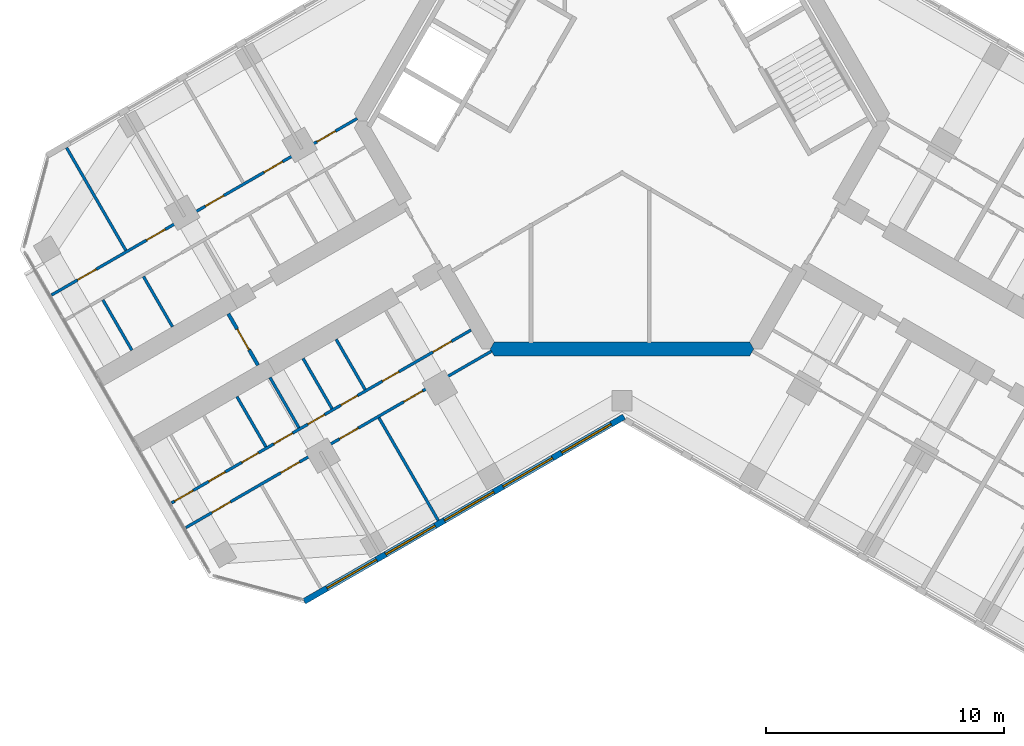
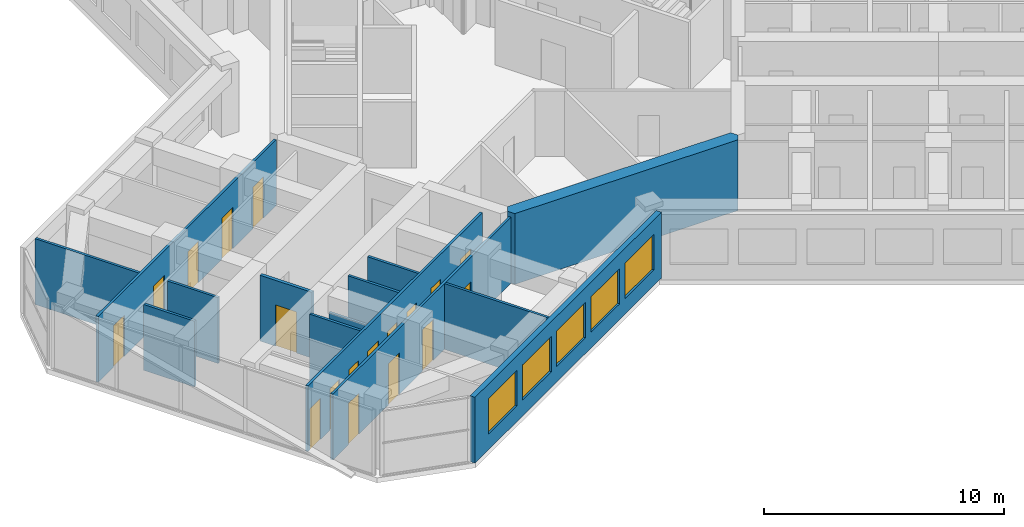
# One storey, part 8 of 16: 18 doors, 14 walls, 5 windows, 23 openings.
"""IFC4 building model written with IfcOpenShell, lengths in metres."""

from ifc_helpers import new_model, si_unit, direction, frame, frame_2d, origin, place, context, subcontext, project, spatial, polyline, rectangle, outline, extrude, material, layer, layer_set, type_object, element, fill, save


model = new_model("IFC4")

# Units and contexts
model_context = context("Model", 3, precision=1e-05, world=origin(), true_north=direction((0.0, 1.0)))
body_context = subcontext(model_context, "Body", "Model", "MODEL_VIEW")
ifc_project = project(units=[si_unit("LENGTHUNIT", "METRE"), si_unit("AREAUNIT", "SQUARE_METRE"), si_unit("VOLUMEUNIT", "CUBIC_METRE"), si_unit("PLANEANGLEUNIT", "RADIAN"), si_unit("MASSUNIT", "GRAM", prefix="KILO")], contexts=[model_context])

# Site, building, storey
site_placement = place(None, origin())
site = spatial("IfcSite", under=ifc_project, at=site_placement, CompositionType="ELEMENT")
building_placement = place(site_placement, origin())
building = spatial("IfcBuilding", under=site, at=building_placement, Name="Kosmar Iwan School Tower", CompositionType="ELEMENT")
storey_placement = place(building_placement, frame((0.0, 0.0, 249.60009765625)))
storey = spatial("IfcBuildingStorey", under=building, at=storey_placement, Name="L63", CompositionType="ELEMENT", Elevation=249.60009765625)

# Wall
ifc_material_1 = material(Name="Concrete C50/60", Category="concrete")
ifc_layer_1 = layer(ifc_material_1, 0.60009765625)
ifc_layer_set_1 = layer_set([ifc_layer_1], Name="Core wall 600")
wall_type_1 = type_object("IfcWallType", Name="Core wall 600", PredefinedType="SHEAR", material=ifc_layer_set_1)
wall_1_placement = place(storey_placement, origin())
element("IfcWall", 1, at=wall_1_placement, inside=storey, type_object=wall_type_1, Name="Core wall F270", PredefinedType="SHEAR", context=body_context, shape_type="SweptSolid", body=[
    extrude(outline(polyline([(-5.369384765625, -9.89990234375), (5.369384765625, -9.89990234375), (5.54248046875, -9.60009765625), (5.369384765625, -9.300048828125), (-5.369384765625, -9.300048828125), (-5.54248046875, -9.60009765625), (-5.369384765625, -9.89990234375)])), origin(), (0.0, 0.0, 1.0), 3.599853515625),
])

# Wall, opening, door
ifc_material_2 = material(Name="Gypsum board on steel studs, fire-rated", Category="steel")
ifc_layer_2 = layer(ifc_material_2, 0.14990234375)
ifc_layer_set_2 = layer_set([ifc_layer_2], Name="Corridor end wall 150")
wall_type_2 = type_object("IfcWallType", Name="Corridor end wall 150", PredefinedType="PARTITIONING", material=ifc_layer_set_2)
wall_2_placement = place(storey_placement, frame((-16.559814453125, -8.117431640625, 0.0), z_axis=(0.0, 0.0, 1.0), x_axis=(0.500004234368, -0.866022959057, 0.0)))
wall_2 = element("IfcWall", 2, at=wall_2_placement, inside=storey, type_object=wall_type_2, Name="Partition L63-B-CE", PredefinedType="PARTITIONING", context=body_context, shape_type="SweptSolid", body=[
    extrude(rectangle(XDim=2.5, YDim=0.14990234375, at=frame_2d((1.25, 0.0))), origin(), (0.0, 0.0, 1.0), 3.349853515625),
])
opening_1_placement = place(wall_2_placement, frame((0.75, 0.0, 0.0)))
opening_1 = element("IfcOpeningElement", 3, at=opening_1_placement, cuts=wall_2, Name="Opening D13", PredefinedType="OPENING", context=body_context, shape_type="SweptSolid", body=[
    extrude(rectangle(XDim=1.0, YDim=2.10009765625, at=frame_2d((0.5, 1.050048828125))), frame((0.0, 0.0869140625, 0.0), z_axis=(0.0, -1.0, 0.0), x_axis=(1.0, 0.0, 0.0)), (0.0, 0.0, 1.0), 0.173828125),
])
ifc_material_3 = material(Name="Timber fire door with vision panel", Category="wood")
door_type_1 = type_object("IfcDoorType", Name="Corridor end door 1000x2100", OperationType="SINGLE_SWING_LEFT", PredefinedType="DOOR", material=ifc_material_3)
door_1_placement = place(opening_1_placement, origin())
door_1 = element("IfcDoor", 4, at=door_1_placement, inside=storey, type_object=door_type_1, Name="Hobby workshop door L63-B", OperationType="SINGLE_SWING_LEFT", OverallHeight=2.10009765625, OverallWidth=1.0, PredefinedType="DOOR", context=body_context, shape_type="SweptSolid", body=[
    extrude(rectangle(XDim=1.0, YDim=2.10009765625, at=frame_2d((0.5, 1.050048828125))), frame((0.0, 0.02490234375, 0.0), z_axis=(0.0, -1.0, 0.0), x_axis=(1.0, 0.0, 0.0)), (0.0, 0.0, 1.0), 0.050048828125),
])
fill(opening_1, door_1)

# Wall, openings, doors
ifc_material_4 = material(Name="Gypsum board on steel studs", Category="steel")
ifc_layer_3 = layer(ifc_material_4, 0.1201171875)
ifc_layer_set_3 = layer_set([ifc_layer_3], Name="Dwelling partition 120")
wall_type_3 = type_object("IfcWallType", Name="Dwelling partition 120", PredefinedType="PARTITIONING", material=ifc_layer_set_3)
wall_3_placement = place(storey_placement, frame((-6.3486328125, -8.8037109375, 0.0), z_axis=(0.0, 0.0, 1.0), x_axis=(-0.866020949409, -0.500007715126, 0.0)))
wall_3 = element("IfcWall", 5, at=wall_3_placement, inside=storey, type_object=wall_type_3, Name="Partition L63-BL1-W1", PredefinedType="PARTITIONING", context=body_context, shape_type="SweptSolid", body=[
    extrude(rectangle(XDim=14.545166015625, YDim=0.1201171875, at=frame_2d((7.2724609375, 0.0))), origin(), (0.0, 0.0, 1.0), 3.349853515625),
])
opening_2_placement = place(wall_3_placement, frame((0.949951171875, 0.0, 0.0)))
opening_2 = element("IfcOpeningElement", 6, at=opening_2_placement, cuts=wall_3, Name="Opening D2", PredefinedType="OPENING", context=body_context, shape_type="SweptSolid", body=[
    extrude(rectangle(XDim=0.89990234375, YDim=2.10009765625, at=frame_2d((0.449951171875, 1.050048828125))), frame((0.0, 0.072021484375, 0.0), z_axis=(0.0, -1.0, 0.0), x_axis=(1.0, 0.0, 0.0)), (0.0, 0.0, 1.0), 0.14404296875),
])
opening_3_placement = place(wall_3_placement, frame((3.505126953125, 0.0, 0.0)))
opening_3 = element("IfcOpeningElement", 7, at=opening_3_placement, cuts=wall_3, Name="Opening D3", PredefinedType="OPENING", context=body_context, shape_type="SweptSolid", body=[
    extrude(rectangle(XDim=0.800048828125, YDim=2.10009765625, at=frame_2d((0.39990234375, 1.050048828125))), frame((0.0, 0.072021484375, 0.0), z_axis=(0.0, -1.0, 0.0), x_axis=(1.0, 0.0, 0.0)), (0.0, 0.0, 1.0), 0.14404296875),
])
opening_4_placement = place(wall_3_placement, frame((5.513427734375, 0.0, 0.0)))
opening_4 = element("IfcOpeningElement", 8, at=opening_4_placement, cuts=wall_3, Name="Opening D3", PredefinedType="OPENING", context=body_context, shape_type="SweptSolid", body=[
    extrude(rectangle(XDim=0.800048828125, YDim=2.10009765625, at=frame_2d((0.39990234375, 1.050048828125))), frame((0.0, 0.072021484375, 0.0), z_axis=(0.0, -1.0, 0.0), x_axis=(1.0, 0.0, 0.0)), (0.0, 0.0, 1.0), 0.14404296875),
])
opening_5_placement = place(wall_3_placement, frame((7.1201171875, 0.0, 0.0)))
opening_5 = element("IfcOpeningElement", 9, at=opening_5_placement, cuts=wall_3, Name="Opening D3", PredefinedType="OPENING", context=body_context, shape_type="SweptSolid", body=[
    extrude(rectangle(XDim=0.800048828125, YDim=2.10009765625, at=frame_2d((0.39990234375, 1.050048828125))), frame((0.0, 0.072021484375, 0.0), z_axis=(0.0, -1.0, 0.0), x_axis=(1.0, 0.0, 0.0)), (0.0, 0.0, 1.0), 0.14404296875),
])
opening_6_placement = place(wall_3_placement, frame((8.6767578125, 0.0, 0.0)))
opening_6 = element("IfcOpeningElement", 10, at=opening_6_placement, cuts=wall_3, Name="Opening D2", PredefinedType="OPENING", context=body_context, shape_type="SweptSolid", body=[
    extrude(rectangle(XDim=0.89990234375, YDim=2.10009765625, at=frame_2d((0.449951171875, 1.050048828125))), frame((0.0, 0.072021484375, 0.0), z_axis=(0.0, -1.0, 0.0), x_axis=(1.0, 0.0, 0.0)), (0.0, 0.0, 1.0), 0.14404296875),
])
opening_7_placement = place(wall_3_placement, frame((10.333251953125, 0.0, 0.0)))
opening_7 = element("IfcOpeningElement", 11, at=opening_7_placement, cuts=wall_3, Name="Opening D3", PredefinedType="OPENING", context=body_context, shape_type="SweptSolid", body=[
    extrude(rectangle(XDim=0.800048828125, YDim=2.10009765625, at=frame_2d((0.39990234375, 1.050048828125))), frame((0.0, 0.072021484375, 0.0), z_axis=(0.0, -1.0, 0.0), x_axis=(1.0, 0.0, 0.0)), (0.0, 0.0, 1.0), 0.14404296875),
])
opening_8_placement = place(wall_3_placement, frame((11.93994140625, 0.0, 0.0)))
opening_8 = element("IfcOpeningElement", 12, at=opening_8_placement, cuts=wall_3, Name="Opening D3", PredefinedType="OPENING", context=body_context, shape_type="SweptSolid", body=[
    extrude(rectangle(XDim=0.800048828125, YDim=2.10009765625, at=frame_2d((0.39990234375, 1.050048828125))), frame((0.0, 0.072021484375, 0.0), z_axis=(0.0, -1.0, 0.0), x_axis=(1.0, 0.0, 0.0)), (0.0, 0.0, 1.0), 0.14404296875),
])
opening_9_placement = place(wall_3_placement, frame((13.49658203125, 0.0, 0.0)))
opening_9 = element("IfcOpeningElement", 13, at=opening_9_placement, cuts=wall_3, Name="Opening D2", PredefinedType="OPENING", context=body_context, shape_type="SweptSolid", body=[
    extrude(rectangle(XDim=0.89990234375, YDim=2.10009765625, at=frame_2d((0.449951171875, 1.050048828125))), frame((0.0, 0.072021484375, 0.0), z_axis=(0.0, -1.0, 0.0), x_axis=(1.0, 0.0, 0.0)), (0.0, 0.0, 1.0), 0.14404296875),
])
ifc_material_5 = material(Name="Timber door in timber frame", Category="wood")
door_type_2 = type_object("IfcDoorType", Name="Internal door 900x2100", OperationType="SINGLE_SWING_LEFT", PredefinedType="DOOR", material=ifc_material_5)
door_2_placement = place(opening_2_placement, origin())
door_2 = element("IfcDoor", 14, at=door_2_placement, inside=storey, type_object=door_type_2, Name="Entrance hall door L63-BL1-S1", OperationType="SINGLE_SWING_LEFT", OverallHeight=2.10009765625, OverallWidth=0.89990234375, PredefinedType="DOOR", context=body_context, shape_type="SweptSolid", body=[
    extrude(rectangle(XDim=0.89990234375, YDim=2.10009765625, at=frame_2d((0.449951171875, 1.050048828125))), frame((0.0, 0.02490234375, 0.0), z_axis=(0.0, -1.0, 0.0), x_axis=(1.0, 0.0, 0.0)), (0.0, 0.0, 1.0), 0.050048828125),
])
fill(opening_2, door_2)
door_3_placement = place(opening_6_placement, origin())
door_3 = element("IfcDoor", 15, at=door_3_placement, inside=storey, type_object=door_type_2, Name="Pantry door L63-BL1-S5", OperationType="SINGLE_SWING_RIGHT", OverallHeight=2.10009765625, OverallWidth=0.89990234375, PredefinedType="DOOR", context=body_context, shape_type="SweptSolid", body=[
    extrude(rectangle(XDim=0.89990234375, YDim=2.10009765625, at=frame_2d((0.449951171875, 1.050048828125))), frame((0.0, 0.02490234375, 0.0), z_axis=(0.0, -1.0, 0.0), x_axis=(1.0, 0.0, 0.0)), (0.0, 0.0, 1.0), 0.050048828125),
])
fill(opening_6, door_3)
door_4_placement = place(opening_9_placement, origin())
door_4 = element("IfcDoor", 16, at=door_4_placement, inside=storey, type_object=door_type_2, Name="Utility room door L63-BL1-S8", OperationType="SINGLE_SWING_RIGHT", OverallHeight=2.10009765625, OverallWidth=0.89990234375, PredefinedType="DOOR", context=body_context, shape_type="SweptSolid", body=[
    extrude(rectangle(XDim=0.89990234375, YDim=2.10009765625, at=frame_2d((0.449951171875, 1.050048828125))), frame((0.0, 0.02490234375, 0.0), z_axis=(0.0, -1.0, 0.0), x_axis=(1.0, 0.0, 0.0)), (0.0, 0.0, 1.0), 0.050048828125),
])
fill(opening_9, door_4)
ifc_material_6 = material(Name="Timber door in timber frame", Category="wood")
door_type_3 = type_object("IfcDoorType", Name="Sanitary room door 800x2100", OperationType="SINGLE_SWING_LEFT", PredefinedType="DOOR", material=ifc_material_6)
door_5_placement = place(opening_3_placement, origin())
door_5 = element("IfcDoor", 17, at=door_5_placement, inside=storey, type_object=door_type_3, Name="Bathroom door L63-BL1-S2", OperationType="SINGLE_SWING_LEFT", OverallHeight=2.10009765625, OverallWidth=0.800048828125, PredefinedType="DOOR", context=body_context, shape_type="SweptSolid", body=[
    extrude(rectangle(XDim=0.800048828125, YDim=2.10009765625, at=frame_2d((0.39990234375, 1.050048828125))), frame((0.0, 0.02490234375, 0.0), z_axis=(0.0, -1.0, 0.0), x_axis=(1.0, 0.0, 0.0)), (0.0, 0.0, 1.0), 0.050048828125),
])
fill(opening_3, door_5)
door_6_placement = place(opening_4_placement, origin())
door_6 = element("IfcDoor", 18, at=door_6_placement, inside=storey, type_object=door_type_3, Name="Grandparents' shower room door L63-BL1-S3", OperationType="SINGLE_SWING_LEFT", OverallHeight=2.10009765625, OverallWidth=0.800048828125, PredefinedType="DOOR", context=body_context, shape_type="SweptSolid", body=[
    extrude(rectangle(XDim=0.800048828125, YDim=2.10009765625, at=frame_2d((0.39990234375, 1.050048828125))), frame((0.0, 0.02490234375, 0.0), z_axis=(0.0, -1.0, 0.0), x_axis=(1.0, 0.0, 0.0)), (0.0, 0.0, 1.0), 0.050048828125),
])
fill(opening_4, door_6)
door_7_placement = place(opening_5_placement, origin())
door_7 = element("IfcDoor", 19, at=door_7_placement, inside=storey, type_object=door_type_3, Name="Shower room door L63-BL1-S4", OperationType="SINGLE_SWING_RIGHT", OverallHeight=2.10009765625, OverallWidth=0.800048828125, PredefinedType="DOOR", context=body_context, shape_type="SweptSolid", body=[
    extrude(rectangle(XDim=0.800048828125, YDim=2.10009765625, at=frame_2d((0.39990234375, 1.050048828125))), frame((0.0, 0.02490234375, 0.0), z_axis=(0.0, -1.0, 0.0), x_axis=(1.0, 0.0, 0.0)), (0.0, 0.0, 1.0), 0.050048828125),
])
fill(opening_5, door_7)
door_8_placement = place(opening_7_placement, origin())
door_8 = element("IfcDoor", 20, at=door_8_placement, inside=storey, type_object=door_type_3, Name="WC door L63-BL1-S6", OperationType="SINGLE_SWING_RIGHT", OverallHeight=2.10009765625, OverallWidth=0.800048828125, PredefinedType="DOOR", context=body_context, shape_type="SweptSolid", body=[
    extrude(rectangle(XDim=0.800048828125, YDim=2.10009765625, at=frame_2d((0.39990234375, 1.050048828125))), frame((0.0, 0.02490234375, 0.0), z_axis=(0.0, -1.0, 0.0), x_axis=(1.0, 0.0, 0.0)), (0.0, 0.0, 1.0), 0.050048828125),
])
fill(opening_7, door_8)
door_9_placement = place(opening_8_placement, origin())
door_9 = element("IfcDoor", 21, at=door_9_placement, inside=storey, type_object=door_type_3, Name="Store door L63-BL1-S7", OperationType="SINGLE_SWING_RIGHT", OverallHeight=2.10009765625, OverallWidth=0.800048828125, PredefinedType="DOOR", context=body_context, shape_type="SweptSolid", body=[
    extrude(rectangle(XDim=0.800048828125, YDim=2.10009765625, at=frame_2d((0.39990234375, 1.050048828125))), frame((0.0, 0.02490234375, 0.0), z_axis=(0.0, -1.0, 0.0), x_axis=(1.0, 0.0, 0.0)), (0.0, 0.0, 1.0), 0.050048828125),
])
fill(opening_8, door_9)

wall_4_placement = place(storey_placement, frame((-5.48876953125, -9.693115234375, 0.0), z_axis=(0.0, 0.0, 1.0), x_axis=(-0.866030301974, -0.499991515992, 0.0)))
wall_4 = element("IfcWall", 22, at=wall_4_placement, inside=storey, type_object=wall_type_3, Name="Partition L63-BL1-W2", PredefinedType="PARTITIONING", context=body_context, shape_type="SweptSolid", body=[
    extrude(rectangle(XDim=14.844970703125, YDim=0.1201171875, at=frame_2d((7.42236328125, 0.0))), origin(), (0.0, 0.0, 1.0), 3.349853515625),
])
opening_10_placement = place(wall_4_placement, frame((3.35009765625, 0.0, 0.0)))
opening_10 = element("IfcOpeningElement", 23, at=opening_10_placement, cuts=wall_4, Name="Opening D2", PredefinedType="OPENING", context=body_context, shape_type="SweptSolid", body=[
    extrude(rectangle(XDim=0.89990234375, YDim=2.10009765625, at=frame_2d((0.449951171875, 1.050048828125))), frame((0.0, 0.072021484375, 0.0), z_axis=(0.0, -1.0, 0.0), x_axis=(1.0, 0.0, 0.0)), (0.0, 0.0, 1.0), 0.14404296875),
])
opening_11_placement = place(wall_4_placement, frame((6.47509765625, 0.0, 0.0)))
opening_11 = element("IfcOpeningElement", 24, at=opening_11_placement, cuts=wall_4, Name="Opening D2", PredefinedType="OPENING", context=body_context, shape_type="SweptSolid", body=[
    extrude(rectangle(XDim=0.89990234375, YDim=2.10009765625, at=frame_2d((0.449951171875, 1.050048828125))), frame((0.0, 0.072021484375, 0.0), z_axis=(0.0, -1.0, 0.0), x_axis=(1.0, 0.0, 0.0)), (0.0, 0.0, 1.0), 0.14404296875),
])
opening_12_placement = place(wall_4_placement, frame((9.324951171875, 0.0, 0.0)))
opening_12 = element("IfcOpeningElement", 25, at=opening_12_placement, cuts=wall_4, Name="Opening D2", PredefinedType="OPENING", context=body_context, shape_type="SweptSolid", body=[
    extrude(rectangle(XDim=0.89990234375, YDim=2.10009765625, at=frame_2d((0.449951171875, 1.050048828125))), frame((0.0, 0.072021484375, 0.0), z_axis=(0.0, -1.0, 0.0), x_axis=(1.0, 0.0, 0.0)), (0.0, 0.0, 1.0), 0.14404296875),
])
opening_13_placement = place(wall_4_placement, frame((12.675048828125, 0.0, 0.0)))
opening_13 = element("IfcOpeningElement", 26, at=opening_13_placement, cuts=wall_4, Name="Opening D2", PredefinedType="OPENING", context=body_context, shape_type="SweptSolid", body=[
    extrude(rectangle(XDim=0.89990234375, YDim=2.10009765625, at=frame_2d((0.449951171875, 1.050048828125))), frame((0.0, 0.072021484375, 0.0), z_axis=(0.0, -1.0, 0.0), x_axis=(1.0, 0.0, 0.0)), (0.0, 0.0, 1.0), 0.14404296875),
])
door_10_placement = place(opening_10_placement, origin())
door_10 = element("IfcDoor", 27, at=door_10_placement, inside=storey, type_object=door_type_2, Name="Living room and kitchen door L63-BL1-F1", OperationType="SINGLE_SWING_RIGHT", OverallHeight=2.10009765625, OverallWidth=0.89990234375, PredefinedType="DOOR", context=body_context, shape_type="SweptSolid", body=[
    extrude(rectangle(XDim=0.89990234375, YDim=2.10009765625, at=frame_2d((0.449951171875, 1.050048828125))), frame((0.0, 0.02490234375, 0.0), z_axis=(0.0, -1.0, 0.0), x_axis=(1.0, 0.0, 0.0)), (0.0, 0.0, 1.0), 0.050048828125),
])
fill(opening_10, door_10)
door_11_placement = place(opening_11_placement, origin())
door_11 = element("IfcDoor", 28, at=door_11_placement, inside=storey, type_object=door_type_2, Name="Grandparents' suite door L63-BL1-F2", OperationType="SINGLE_SWING_LEFT", OverallHeight=2.10009765625, OverallWidth=0.89990234375, PredefinedType="DOOR", context=body_context, shape_type="SweptSolid", body=[
    extrude(rectangle(XDim=0.89990234375, YDim=2.10009765625, at=frame_2d((0.449951171875, 1.050048828125))), frame((0.0, 0.02490234375, 0.0), z_axis=(0.0, -1.0, 0.0), x_axis=(1.0, 0.0, 0.0)), (0.0, 0.0, 1.0), 0.050048828125),
])
fill(opening_11, door_11)
door_12_placement = place(opening_12_placement, origin())
door_12 = element("IfcDoor", 29, at=door_12_placement, inside=storey, type_object=door_type_2, Name="Bedroom 1 door L63-BL1-F3", OperationType="SINGLE_SWING_RIGHT", OverallHeight=2.10009765625, OverallWidth=0.89990234375, PredefinedType="DOOR", context=body_context, shape_type="SweptSolid", body=[
    extrude(rectangle(XDim=0.89990234375, YDim=2.10009765625, at=frame_2d((0.449951171875, 1.050048828125))), frame((0.0, 0.02490234375, 0.0), z_axis=(0.0, -1.0, 0.0), x_axis=(1.0, 0.0, 0.0)), (0.0, 0.0, 1.0), 0.050048828125),
])
fill(opening_12, door_12)
door_13_placement = place(opening_13_placement, origin())
door_13 = element("IfcDoor", 30, at=door_13_placement, inside=storey, type_object=door_type_2, Name="Bedroom 2 door L63-BL1-F4", OperationType="SINGLE_SWING_RIGHT", OverallHeight=2.10009765625, OverallWidth=0.89990234375, PredefinedType="DOOR", context=body_context, shape_type="SweptSolid", body=[
    extrude(rectangle(XDim=0.89990234375, YDim=2.10009765625, at=frame_2d((0.449951171875, 1.050048828125))), frame((0.0, 0.02490234375, 0.0), z_axis=(0.0, -1.0, 0.0), x_axis=(1.0, 0.0, 0.0)), (0.0, 0.0, 1.0), 0.050048828125),
])
fill(opening_13, door_13)

# Walls
wall_5_placement = place(storey_placement, frame((-10.221923828125, -12.4951171875, 0.0), z_axis=(0.0, 0.0, 1.0), x_axis=(0.499996339024, -0.86602751744, 0.0)))
element("IfcWall", 31, at=wall_5_placement, inside=storey, type_object=wall_type_3, Name="Partition L63-BL1-X1", PredefinedType="PARTITIONING", context=body_context, shape_type="SweptSolid", body=[
    extrude(rectangle(XDim=4.98974609375, YDim=0.1201171875, at=frame_2d((2.494873046875, 0.0))), origin(), (0.0, 0.0, 1.0), 3.349853515625),
])
for number, where, z_axis, x_axis, name in (
    (32, (-12.02392578125, -9.19384765625, 0.0), (0.0, 0.0, 1.0), (0.500002508028, -0.866023955769, 0.0), "Partition L63-BL1-Y2"),
    (33, (-13.41552734375, -9.9970703125, 0.0), (0.0, 0.0, 1.0), (0.500002508028, -0.866023955769, 0.0), "Partition L63-BL1-Y3"),
):
    element("IfcWall", number, at=place(storey_placement, frame(where, z_axis=z_axis, x_axis=x_axis)), inside=storey, type_object=wall_type_3, Name=name, PredefinedType="PARTITIONING", context=body_context, shape_type="SweptSolid", body=[
        extrude(rectangle(XDim=2.43994140625, YDim=0.1201171875, at=frame_2d((1.219970703125, 0.0))), origin(), (0.0, 0.0, 1.0), 3.349853515625),
    ])
wall_6_placement = place(storey_placement, frame((-14.806884765625, -10.80029296875, 0.0), z_axis=(0.0, 0.0, 1.0), x_axis=(0.499959183527, -0.866048967903, 0.0)))
element("IfcWall", 34, at=wall_6_placement, inside=storey, type_object=wall_type_3, Name="Partition L63-BL1-Y4", PredefinedType="PARTITIONING", context=body_context, shape_type="SweptSolid", body=[
    extrude(rectangle(XDim=2.440185546875, YDim=0.1201171875, at=frame_2d((1.22021484375, 0.0))), origin(), (0.0, 0.0, 1.0), 2.449951171875),
])
wall_7_placement = place(storey_placement, frame((-16.1982421875, -11.603759765625, 0.0), z_axis=(0.0, 0.0, 1.0), x_axis=(0.500002508028, -0.866023955769, 0.0)))
element("IfcWall", 35, at=wall_7_placement, inside=storey, type_object=wall_type_3, Name="Partition L63-BL1-Y5", PredefinedType="PARTITIONING", context=body_context, shape_type="SweptSolid", body=[
    extrude(rectangle(XDim=2.43994140625, YDim=0.1201171875, at=frame_2d((1.219970703125, 0.0))), origin(), (0.0, 0.0, 1.0), 3.349853515625),
])

# Wall, openings, doors
wall_8_placement = place(storey_placement, frame((-11.138916015625, 0.093017578125, 0.0), z_axis=(0.0, 0.0, 1.0), x_axis=(-0.866030301974, -0.499991515992, 0.0)))
wall_8 = element("IfcWall", 36, at=wall_8_placement, inside=storey, type_object=wall_type_3, Name="Partition L63-BR1-W2", PredefinedType="PARTITIONING", context=body_context, shape_type="SweptSolid", body=[
    extrude(rectangle(XDim=14.844970703125, YDim=0.1201171875, at=frame_2d((7.42236328125, 0.0))), origin(), (0.0, 0.0, 1.0), 3.349853515625),
])
opening_14_placement = place(wall_8_placement, frame((1.050048828125, 0.0, 0.0)))
opening_14 = element("IfcOpeningElement", 37, at=opening_14_placement, cuts=wall_8, Name="Opening D2", PredefinedType="OPENING", context=body_context, shape_type="SweptSolid", body=[
    extrude(rectangle(XDim=0.89990234375, YDim=2.10009765625, at=frame_2d((0.449951171875, 1.050048828125))), frame((0.0, 0.072021484375, 0.0), z_axis=(0.0, -1.0, 0.0), x_axis=(1.0, 0.0, 0.0)), (0.0, 0.0, 1.0), 0.14404296875),
])
opening_15_placement = place(wall_8_placement, frame((3.625, 0.0, 0.0)))
opening_15 = element("IfcOpeningElement", 38, at=opening_15_placement, cuts=wall_8, Name="Opening D2", PredefinedType="OPENING", context=body_context, shape_type="SweptSolid", body=[
    extrude(rectangle(XDim=0.89990234375, YDim=2.10009765625, at=frame_2d((0.449951171875, 1.050048828125))), frame((0.0, 0.072021484375, 0.0), z_axis=(0.0, -1.0, 0.0), x_axis=(1.0, 0.0, 0.0)), (0.0, 0.0, 1.0), 0.14404296875),
])
opening_16_placement = place(wall_8_placement, frame((6.47509765625, 0.0, 0.0)))
opening_16 = element("IfcOpeningElement", 39, at=opening_16_placement, cuts=wall_8, Name="Opening D2", PredefinedType="OPENING", context=body_context, shape_type="SweptSolid", body=[
    extrude(rectangle(XDim=0.89990234375, YDim=2.10009765625, at=frame_2d((0.449951171875, 1.050048828125))), frame((0.0, 0.072021484375, 0.0), z_axis=(0.0, -1.0, 0.0), x_axis=(1.0, 0.0, 0.0)), (0.0, 0.0, 1.0), 0.14404296875),
])
opening_17_placement = place(wall_8_placement, frame((9.324951171875, 0.0, 0.0)))
opening_17 = element("IfcOpeningElement", 40, at=opening_17_placement, cuts=wall_8, Name="Opening D2", PredefinedType="OPENING", context=body_context, shape_type="SweptSolid", body=[
    extrude(rectangle(XDim=0.89990234375, YDim=2.10009765625, at=frame_2d((0.449951171875, 1.050048828125))), frame((0.0, 0.072021484375, 0.0), z_axis=(0.0, -1.0, 0.0), x_axis=(1.0, 0.0, 0.0)), (0.0, 0.0, 1.0), 0.14404296875),
])
opening_18_placement = place(wall_8_placement, frame((12.675048828125, 0.0, 0.0)))
opening_18 = element("IfcOpeningElement", 41, at=opening_18_placement, cuts=wall_8, Name="Opening D2", PredefinedType="OPENING", context=body_context, shape_type="SweptSolid", body=[
    extrude(rectangle(XDim=0.89990234375, YDim=2.10009765625, at=frame_2d((0.449951171875, 1.050048828125))), frame((0.0, 0.072021484375, 0.0), z_axis=(0.0, -1.0, 0.0), x_axis=(1.0, 0.0, 0.0)), (0.0, 0.0, 1.0), 0.14404296875),
])
door_14_placement = place(opening_14_placement, origin())
door_14 = element("IfcDoor", 42, at=door_14_placement, inside=storey, type_object=door_type_2, Name="Living room and kitchen door L63-BR1-F1", OperationType="SINGLE_SWING_LEFT", OverallHeight=2.10009765625, OverallWidth=0.89990234375, PredefinedType="DOOR", context=body_context, shape_type="SweptSolid", body=[
    extrude(rectangle(XDim=0.89990234375, YDim=2.10009765625, at=frame_2d((0.449951171875, 1.050048828125))), frame((0.0, 0.02490234375, 0.0), z_axis=(0.0, -1.0, 0.0), x_axis=(1.0, 0.0, 0.0)), (0.0, 0.0, 1.0), 0.050048828125),
])
fill(opening_14, door_14)
door_15_placement = place(opening_15_placement, origin())
door_15 = element("IfcDoor", 43, at=door_15_placement, inside=storey, type_object=door_type_2, Name="Study door L63-BR1-F2", OperationType="SINGLE_SWING_LEFT", OverallHeight=2.10009765625, OverallWidth=0.89990234375, PredefinedType="DOOR", context=body_context, shape_type="SweptSolid", body=[
    extrude(rectangle(XDim=0.89990234375, YDim=2.10009765625, at=frame_2d((0.449951171875, 1.050048828125))), frame((0.0, 0.02490234375, 0.0), z_axis=(0.0, -1.0, 0.0), x_axis=(1.0, 0.0, 0.0)), (0.0, 0.0, 1.0), 0.050048828125),
])
fill(opening_15, door_15)
door_16_placement = place(opening_16_placement, origin())
door_16 = element("IfcDoor", 44, at=door_16_placement, inside=storey, type_object=door_type_2, Name="Bedroom 2 door L63-BR1-F3", OperationType="SINGLE_SWING_LEFT", OverallHeight=2.10009765625, OverallWidth=0.89990234375, PredefinedType="DOOR", context=body_context, shape_type="SweptSolid", body=[
    extrude(rectangle(XDim=0.89990234375, YDim=2.10009765625, at=frame_2d((0.449951171875, 1.050048828125))), frame((0.0, 0.02490234375, 0.0), z_axis=(0.0, -1.0, 0.0), x_axis=(1.0, 0.0, 0.0)), (0.0, 0.0, 1.0), 0.050048828125),
])
fill(opening_16, door_16)
door_17_placement = place(opening_17_placement, origin())
door_17 = element("IfcDoor", 45, at=door_17_placement, inside=storey, type_object=door_type_2, Name="Grandparents' suite door L63-BR1-F4", OperationType="SINGLE_SWING_RIGHT", OverallHeight=2.10009765625, OverallWidth=0.89990234375, PredefinedType="DOOR", context=body_context, shape_type="SweptSolid", body=[
    extrude(rectangle(XDim=0.89990234375, YDim=2.10009765625, at=frame_2d((0.449951171875, 1.050048828125))), frame((0.0, 0.02490234375, 0.0), z_axis=(0.0, -1.0, 0.0), x_axis=(1.0, 0.0, 0.0)), (0.0, 0.0, 1.0), 0.050048828125),
])
fill(opening_17, door_17)
door_18_placement = place(opening_18_placement, origin())
door_18 = element("IfcDoor", 46, at=door_18_placement, inside=storey, type_object=door_type_2, Name="Bedroom 1 door L63-BR1-F5", OperationType="SINGLE_SWING_RIGHT", OverallHeight=2.10009765625, OverallWidth=0.89990234375, PredefinedType="DOOR", context=body_context, shape_type="SweptSolid", body=[
    extrude(rectangle(XDim=0.89990234375, YDim=2.10009765625, at=frame_2d((0.449951171875, 1.050048828125))), frame((0.0, 0.02490234375, 0.0), z_axis=(0.0, -1.0, 0.0), x_axis=(1.0, 0.0, 0.0)), (0.0, 0.0, 1.0), 0.050048828125),
])
fill(opening_18, door_18)

# Walls
wall_9_placement = place(storey_placement, frame((-20.868408203125, -5.455078125, 0.0), z_axis=(0.0, 0.0, 1.0), x_axis=(-0.499975153383, 0.86603974851, 0.0)))
element("IfcWall", 47, at=wall_9_placement, inside=storey, type_object=wall_type_3, Name="Partition L63-BR1-X4", PredefinedType="PARTITIONING", context=body_context, shape_type="SweptSolid", body=[
    extrude(rectangle(XDim=4.989990234375, YDim=0.1201171875, at=frame_2d((2.4951171875, 0.0))), origin(), (0.0, 0.0, 1.0), 3.349853515625),
])
wall_10_placement = place(storey_placement, frame((-18.907958984375, -8.664794921875, 0.0), z_axis=(0.0, 0.0, 1.0), x_axis=(-0.500002508028, 0.866023955769, 0.0)))
element("IfcWall", 48, at=wall_10_placement, inside=storey, type_object=wall_type_3, Name="Partition L63-BR1-Y5", PredefinedType="PARTITIONING", context=body_context, shape_type="SweptSolid", body=[
    extrude(rectangle(XDim=2.43994140625, YDim=0.1201171875, at=frame_2d((1.219970703125, 0.0))), origin(), (0.0, 0.0, 1.0), 3.349853515625),
])
wall_11_placement = place(storey_placement, frame((-20.615234375, -9.650634765625, 0.0), z_axis=(0.0, 0.0, 1.0), x_axis=(-0.499959183527, 0.866048967903, 0.0)))
element("IfcWall", 49, at=wall_11_placement, inside=storey, type_object=wall_type_3, Name="Partition L63-BR1-Y6", PredefinedType="PARTITIONING", context=body_context, shape_type="SweptSolid", body=[
    extrude(rectangle(XDim=2.440185546875, YDim=0.1201171875, at=frame_2d((1.22021484375, 0.0))), origin(), (0.0, 0.0, 1.0), 3.349853515625),
])

# Wall, openings, windows
ifc_material_7 = material(Name="Black aluminium rainscreen on insulated framing", Category="aluminium")
ifc_layer_4 = layer(ifc_material_7, 0.25)
ifc_layer_set_4 = layer_set([ifc_layer_4], Name="External wall rainscreen 250")
wall_type_4 = type_object("IfcWallType", Name="External wall rainscreen 250", PredefinedType="SOLIDWALL", material=ifc_layer_set_4)
wall_12_placement = place(storey_placement, frame((0.088134765625, -12.44873046875, 0.0), z_axis=(0.0, 0.0, 1.0), x_axis=(-0.866029894971, -0.499992220956, 0.0)))
wall_12 = element("IfcWall", 50, at=wall_12_placement, inside=storey, type_object=wall_type_4, Name="External wall BL L63", PredefinedType="SOLIDWALL", context=body_context, shape_type="SweptSolid", body=[
    extrude(rectangle(XDim=15.537353515625, YDim=0.25, at=frame_2d((7.7685546875, 0.0))), origin(), (0.0, 0.0, 1.0), 3.349853515625),
])
opening_19_placement = place(wall_12_placement, frame((0.626953125, 0.0, 0.800048828125)))
opening_19 = element("IfcOpeningElement", 51, at=opening_19_placement, cuts=wall_12, Name="Opening W5", PredefinedType="OPENING", context=body_context, shape_type="SweptSolid", body=[
    extrude(rectangle(XDim=2.39990234375, YDim=1.800048828125, at=frame_2d((1.199951171875, 0.89990234375))), frame((0.0, 0.136962890625, 0.0), z_axis=(0.0, -1.0, 0.0), x_axis=(1.0, 0.0, 0.0)), (0.0, 0.0, 1.0), 0.27392578125),
])
opening_20_placement = place(wall_12_placement, frame((3.47705078125, 0.0, 0.800048828125)))
opening_20 = element("IfcOpeningElement", 52, at=opening_20_placement, cuts=wall_12, Name="Opening W5", PredefinedType="OPENING", context=body_context, shape_type="SweptSolid", body=[
    extrude(rectangle(XDim=2.39990234375, YDim=1.800048828125, at=frame_2d((1.199951171875, 0.89990234375))), frame((0.0, 0.136962890625, 0.0), z_axis=(0.0, -1.0, 0.0), x_axis=(1.0, 0.0, 0.0)), (0.0, 0.0, 1.0), 0.27392578125),
])
opening_21_placement = place(wall_12_placement, frame((6.326904296875, 0.0, 0.800048828125)))
opening_21 = element("IfcOpeningElement", 53, at=opening_21_placement, cuts=wall_12, Name="Opening W5", PredefinedType="OPENING", context=body_context, shape_type="SweptSolid", body=[
    extrude(rectangle(XDim=2.39990234375, YDim=1.800048828125, at=frame_2d((1.199951171875, 0.89990234375))), frame((0.0, 0.136962890625, 0.0), z_axis=(0.0, -1.0, 0.0), x_axis=(1.0, 0.0, 0.0)), (0.0, 0.0, 1.0), 0.27392578125),
])
opening_22_placement = place(wall_12_placement, frame((9.177001953125, 0.0, 0.800048828125)))
opening_22 = element("IfcOpeningElement", 54, at=opening_22_placement, cuts=wall_12, Name="Opening W5", PredefinedType="OPENING", context=body_context, shape_type="SweptSolid", body=[
    extrude(rectangle(XDim=2.39990234375, YDim=1.800048828125, at=frame_2d((1.199951171875, 0.89990234375))), frame((0.0, 0.136962890625, 0.0), z_axis=(0.0, -1.0, 0.0), x_axis=(1.0, 0.0, 0.0)), (0.0, 0.0, 1.0), 0.27392578125),
])
opening_23_placement = place(wall_12_placement, frame((12.027099609375, 0.0, 0.800048828125)))
opening_23 = element("IfcOpeningElement", 55, at=opening_23_placement, cuts=wall_12, Name="Opening W5", PredefinedType="OPENING", context=body_context, shape_type="SweptSolid", body=[
    extrude(rectangle(XDim=2.39990234375, YDim=1.800048828125, at=frame_2d((1.199951171875, 0.89990234375))), frame((0.0, 0.136962890625, 0.0), z_axis=(0.0, -1.0, 0.0), x_axis=(1.0, 0.0, 0.0)), (0.0, 0.0, 1.0), 0.27392578125),
])
ifc_material_8 = material(Name="Black aluminium frame with dark triple glazing", Category="aluminium")
window_type = type_object("IfcWindowType", Name="Window 2400x1800", PartitioningType="SINGLE_PANEL", PredefinedType="WINDOW", material=ifc_material_8)
window_1_placement = place(opening_19_placement, origin())
window_1 = element("IfcWindow", 56, at=window_1_placement, inside=storey, type_object=window_type, Name="Window BL L63 -1", OverallHeight=1.800048828125, OverallWidth=2.39990234375, PartitioningType="SINGLE_PANEL", PredefinedType="WINDOW", context=body_context, shape_type="SweptSolid", body=[
    extrude(rectangle(XDim=2.39990234375, YDim=1.800048828125, at=frame_2d((1.199951171875, 0.89990234375))), frame((0.0, 0.030029296875, 0.0), z_axis=(0.0, -1.0, 0.0), x_axis=(1.0, 0.0, 0.0)), (0.0, 0.0, 1.0), 0.06005859375),
])
fill(opening_19, window_1)
window_2_placement = place(opening_20_placement, origin())
window_2 = element("IfcWindow", 57, at=window_2_placement, inside=storey, type_object=window_type, Name="Window BL L63 0", OverallHeight=1.800048828125, OverallWidth=2.39990234375, PartitioningType="SINGLE_PANEL", PredefinedType="WINDOW", context=body_context, shape_type="SweptSolid", body=[
    extrude(rectangle(XDim=2.39990234375, YDim=1.800048828125, at=frame_2d((1.199951171875, 0.89990234375))), frame((0.0, 0.030029296875, 0.0), z_axis=(0.0, -1.0, 0.0), x_axis=(1.0, 0.0, 0.0)), (0.0, 0.0, 1.0), 0.06005859375),
])
fill(opening_20, window_2)
window_3_placement = place(opening_21_placement, origin())
window_3 = element("IfcWindow", 58, at=window_3_placement, inside=storey, type_object=window_type, Name="Window BL L63 1", OverallHeight=1.800048828125, OverallWidth=2.39990234375, PartitioningType="SINGLE_PANEL", PredefinedType="WINDOW", context=body_context, shape_type="SweptSolid", body=[
    extrude(rectangle(XDim=2.39990234375, YDim=1.800048828125, at=frame_2d((1.199951171875, 0.89990234375))), frame((0.0, 0.030029296875, 0.0), z_axis=(0.0, -1.0, 0.0), x_axis=(1.0, 0.0, 0.0)), (0.0, 0.0, 1.0), 0.06005859375),
])
fill(opening_21, window_3)
window_4_placement = place(opening_22_placement, origin())
window_4 = element("IfcWindow", 59, at=window_4_placement, inside=storey, type_object=window_type, Name="Window BL L63 2", OverallHeight=1.800048828125, OverallWidth=2.39990234375, PartitioningType="SINGLE_PANEL", PredefinedType="WINDOW", context=body_context, shape_type="SweptSolid", body=[
    extrude(rectangle(XDim=2.39990234375, YDim=1.800048828125, at=frame_2d((1.199951171875, 0.89990234375))), frame((0.0, 0.030029296875, 0.0), z_axis=(0.0, -1.0, 0.0), x_axis=(1.0, 0.0, 0.0)), (0.0, 0.0, 1.0), 0.06005859375),
])
fill(opening_22, window_4)
window_5_placement = place(opening_23_placement, origin())
window_5 = element("IfcWindow", 60, at=window_5_placement, inside=storey, type_object=window_type, Name="Window BL L63 3", OverallHeight=1.800048828125, OverallWidth=2.39990234375, PartitioningType="SINGLE_PANEL", PredefinedType="WINDOW", context=body_context, shape_type="SweptSolid", body=[
    extrude(rectangle(XDim=2.39990234375, YDim=1.800048828125, at=frame_2d((1.199951171875, 0.89990234375))), frame((0.0, 0.030029296875, 0.0), z_axis=(0.0, -1.0, 0.0), x_axis=(1.0, 0.0, 0.0)), (0.0, 0.0, 1.0), 0.06005859375),
])
fill(opening_23, window_5)

save(model, "model.ifc")
